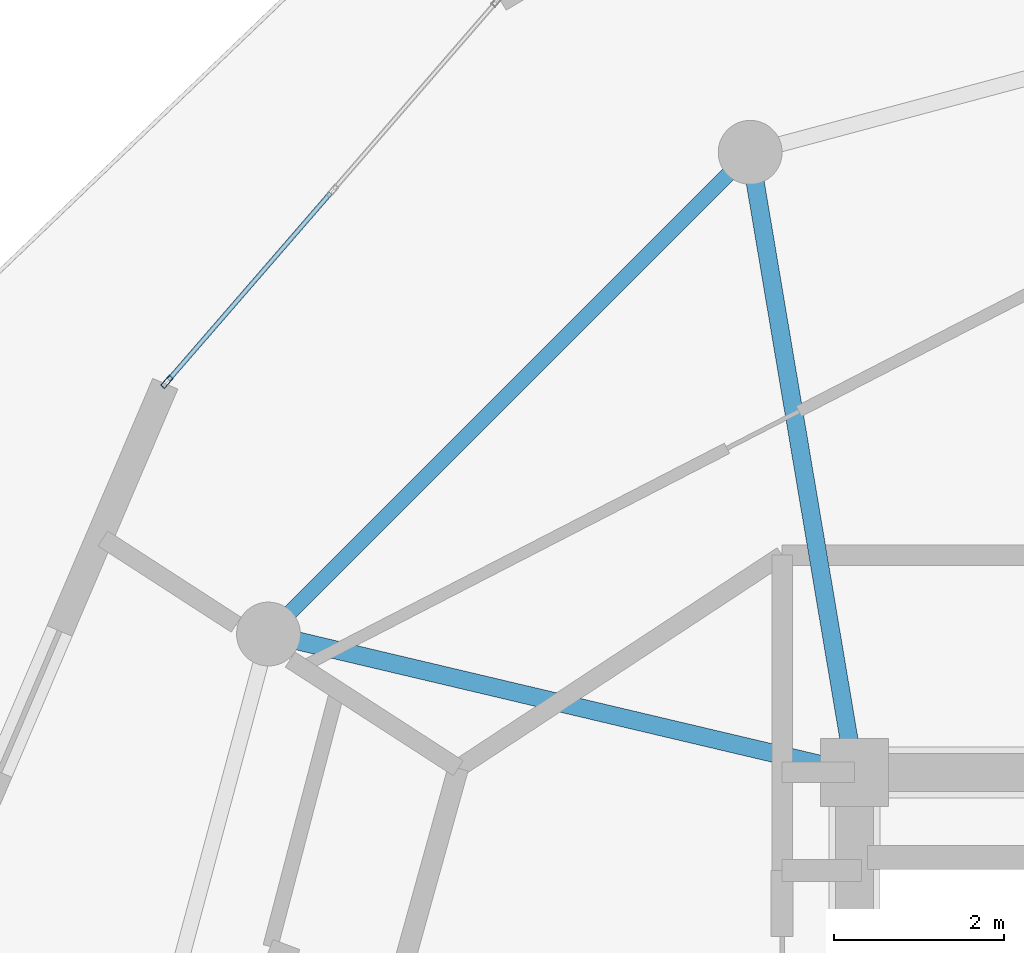
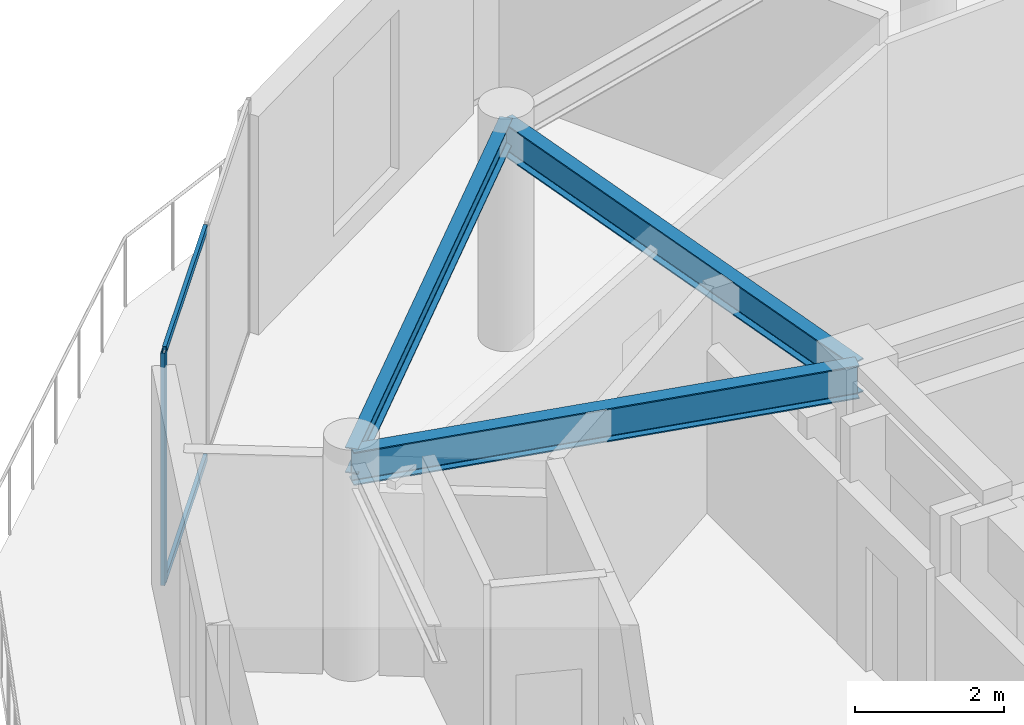
# One storey, part 6 of 15: 3 beams, 3 members, 1 element without a shape of its own.
"""IFC4 building model written with IfcOpenShell, lengths in metres."""

from ifc_helpers import new_model, si_unit, direction, frame, origin, origin_2d, place, context, subcontext, project, spatial, hollow_rectangle, i_section, extrude, source, transform, mapped, material, layer, layer_set, material_profile, profile_set, type_object, element, aggregate, save


model = new_model("IFC4")

# Units and contexts
model_context = context("Model", 3, precision=1e-05, world=origin(), true_north=direction((0.0, 1.0)))
body_context = subcontext(model_context, "Body", "Model", "MODEL_VIEW")
ifc_project = project(units=[si_unit("LENGTHUNIT", "METRE"), si_unit("AREAUNIT", "SQUARE_METRE"), si_unit("VOLUMEUNIT", "CUBIC_METRE"), si_unit("PLANEANGLEUNIT", "RADIAN"), si_unit("MASSUNIT", "GRAM", prefix="KILO")], contexts=[model_context])

# Site, building, storey
site_placement = place(None, origin())
site = spatial("IfcSite", under=ifc_project, at=site_placement, CompositionType="ELEMENT")
building_placement = place(site_placement, origin())
building = spatial("IfcBuilding", under=site, at=building_placement, Name="Solvirekh Grand Hotel", CompositionType="ELEMENT")
storey_placement = place(building_placement, frame((0.0, 0.0, 270.60009765625)))
storey = spatial("IfcBuildingStorey", under=building, at=storey_placement, Name="L70", CompositionType="ELEMENT", Elevation=270.60009765625)

# Beams
ifc_material_1 = material(Name="Steel S355", Category="steel")
ifc_material_profile_1 = material_profile(ifc_material_1, i_section(OverallWidth=0.2119140625, OverallDepth=0.5439453125, WebThickness=0.011962890625, FlangeThickness=0.01904296875, FilletRadius=0.013916015625, at=origin_2d()), Name="W530X123")
ifc_profile_set_1 = profile_set([ifc_material_profile_1], Name="Steel S355")
beam_type_1 = type_object("IfcBeamType", Name="Beam_Radial_W530H", PredefinedType="BEAM", material=ifc_profile_set_1)
beam_1_placement = place(storey_placement, frame((-6.5, 6.10009765625, 3.2978515625), z_axis=(-0.165954049106, 0.986133486697, 0.0), x_axis=(-0.986133486697, -0.165954049106, 0.0)))
element("IfcBeam", 1, at=beam_1_placement, inside=storey, type_object=beam_type_1, Name="L70 radial floor beam R05", PredefinedType="BEAM", context=body_context, shape_type="SweptSolid", body=[
    extrude(i_section(OverallWidth=0.2119140625, OverallDepth=0.5439453125, WebThickness=0.011962890625, FlangeThickness=0.01904296875, FilletRadius=0.013916015625, at=origin_2d()), origin(), (0.0, 0.0, 1.0), 7.382080078125),
])
beam_2_placement = place(storey_placement, frame((-6.5, 6.10009765625, 3.2978515625), z_axis=(-0.973221147544, 0.229870828888, 0.0), x_axis=(-0.229870828888, -0.973221147544, 0.0)))
element("IfcBeam", 2, at=beam_2_placement, inside=storey, type_object=beam_type_1, Name="L70 radial floor beam R06", PredefinedType="BEAM", context=body_context, shape_type="SweptSolid", body=[
    extrude(i_section(OverallWidth=0.2119140625, OverallDepth=0.5439453125, WebThickness=0.011962890625, FlangeThickness=0.01904296875, FilletRadius=0.013916015625, at=origin_2d()), origin(), (0.0, 0.0, 1.0), 7.069091796875),
])
ifc_material_profile_2 = material_profile(ifc_material_1, i_section(OverallWidth=0.180908203125, OverallDepth=0.4169921875, WebThickness=0.010009765625, FlangeThickness=0.01611328125, FilletRadius=0.011962890625, at=origin_2d()), Name="W410X85")
ifc_profile_set_2 = profile_set([ifc_material_profile_2], Name="Steel S355")
beam_type_2 = type_object("IfcBeamType", Name="Spandrel_Ring_W410", PredefinedType="SPANDREL", material=ifc_profile_set_2)
beam_3_placement = place(storey_placement, frame((-7.72509765625, 13.3798828125, 3.36181640625), z_axis=(-0.707106781187, -0.707106781187, 0.0), x_axis=(0.707106781187, -0.707106781187, 0.0)))
element("IfcBeam", 3, at=beam_3_placement, inside=storey, type_object=beam_type_2, Name="L70 perimeter spandrel beam 5", PredefinedType="SPANDREL", context=body_context, shape_type="SweptSolid", body=[
    extrude(i_section(OverallWidth=0.180908203125, OverallDepth=0.4169921875, WebThickness=0.010009765625, FlangeThickness=0.01611328125, FilletRadius=0.011962890625, at=origin_2d()), origin(), (0.0, 0.0, 1.0), 7.9970703125),
])

# Curtain wall, members
ifc_material_2 = material(Name="Anodized Bronze Aluminium 6063-T6", Category="aluminium")
ifc_layer = layer(ifc_material_2, 0.159912109375)
ifc_layer_set = layer_set([ifc_layer], Name="Anodized Bronze Aluminium 6063-T6")
curtain_wall_type = type_object("IfcCurtainWallType", Name="CW_Sys4_HighZoneFlushBronzeCW", PredefinedType="NOTDEFINED", material=ifc_layer_set)
curtain_wall_placement = place(storey_placement, origin())
curtain_wall = element("IfcCurtainWall", 4, at=curtain_wall_placement, inside=storey, type_object=curtain_wall_type, Name="L70 unitised bronze-glass curtain wall CW-L70-C13", PredefinedType="NOTDEFINED")
ifc_material_profile_3 = material_profile(ifc_material_2, hollow_rectangle(XDim=0.06005859375, YDim=0.159912109375, WallThickness=0.0048828125, at=origin_2d()), Name="ALU RHS 160X60X5")
ifc_profile_set_3 = profile_set([ifc_material_profile_3], Name="Anodized Bronze Aluminium 6063-T6")
member_type_1 = type_object("IfcMemberType", Name="CWMullion_Sys4", PredefinedType="MULLION", material=ifc_profile_set_3)
shared_shape_1 = source(origin(), body_context, "Body", "SweptSolid", [
    extrude(hollow_rectangle(XDim=0.06005859375, YDim=0.159912109375, WallThickness=0.0048828125, at=origin_2d()), origin(), (0.0, 0.0, 1.0), 3.7998046875),
])
member_1_placement = place(storey_placement, frame((-14.5712890625, 10.685791015625, 0.0), z_axis=(0.0, 0.0, 1.0), x_axis=(0.755683570117, -0.65493689914, 0.0)))
member_1 = element("IfcMember", 5, at=member_1_placement, type_object=member_type_1, Name="U04 mullion 3", PredefinedType="MULLION", context=body_context, shape_type="MappedRepresentation", body=[
    mapped(shared_shape_1, transform((0.0, 0.0, 0.0), x_axis=(1.0, 0.0, 0.0), y_axis=(0.0, 1.0, 0.0), z_axis=(0.0, 0.0, 1.0), scale=1.0)),
])
ifc_material_profile_4 = material_profile(ifc_material_2, hollow_rectangle(XDim=0.054931640625, YDim=0.1201171875, WallThickness=0.00390625, at=origin_2d()), Name="ALU RHS 120X55X4")
ifc_profile_set_4 = profile_set([ifc_material_profile_4], Name="Anodized Bronze Aluminium 6063-T6")
member_type_2 = type_object("IfcMemberType", Name="CWTransom_Sys4", PredefinedType="USERDEFINED", material=ifc_profile_set_4)
shared_shape_2 = source(origin(), body_context, "Body", "SweptSolid", [
    extrude(hollow_rectangle(XDim=0.054931640625, YDim=0.1201171875, WallThickness=0.00390625, at=origin_2d()), origin(), (0.0, 0.0, 1.0), 2.90283203125),
])
member_2_placement = place(storey_placement, frame((-12.650634765625, 12.90185546875, 0.02734375), z_axis=(-0.654930538418, -0.75568908279, 0.0), x_axis=(0.75568908279, -0.654930538418, 0.0)))
member_2 = element("IfcMember", 6, at=member_2_placement, type_object=member_type_2, Name="U04 transom 2.1", ObjectType="TRANSOM", PredefinedType="USERDEFINED", context=body_context, shape_type="MappedRepresentation", body=[
    mapped(shared_shape_2, transform((0.0, 0.0, 0.0), x_axis=(1.0, 0.0, 0.0), y_axis=(0.0, 1.0, 0.0), z_axis=(0.0, 0.0, 1.0), scale=1.0)),
])
member_3_placement = place(storey_placement, frame((-12.650634765625, 12.90185546875, 3.7724609375), z_axis=(-0.654930538418, -0.75568908279, 0.0), x_axis=(0.75568908279, -0.654930538418, 0.0)))
member_3 = element("IfcMember", 7, at=member_3_placement, type_object=member_type_2, Name="U04 transom 2.2", ObjectType="TRANSOM", PredefinedType="USERDEFINED", context=body_context, shape_type="MappedRepresentation", body=[
    mapped(shared_shape_2, transform((0.0, 0.0, 0.0), x_axis=(1.0, 0.0, 0.0), y_axis=(0.0, 1.0, 0.0), z_axis=(0.0, 0.0, 1.0), scale=1.0)),
])
aggregate(curtain_wall, [member_1, member_2, member_3])

save(model, "model.ifc")
